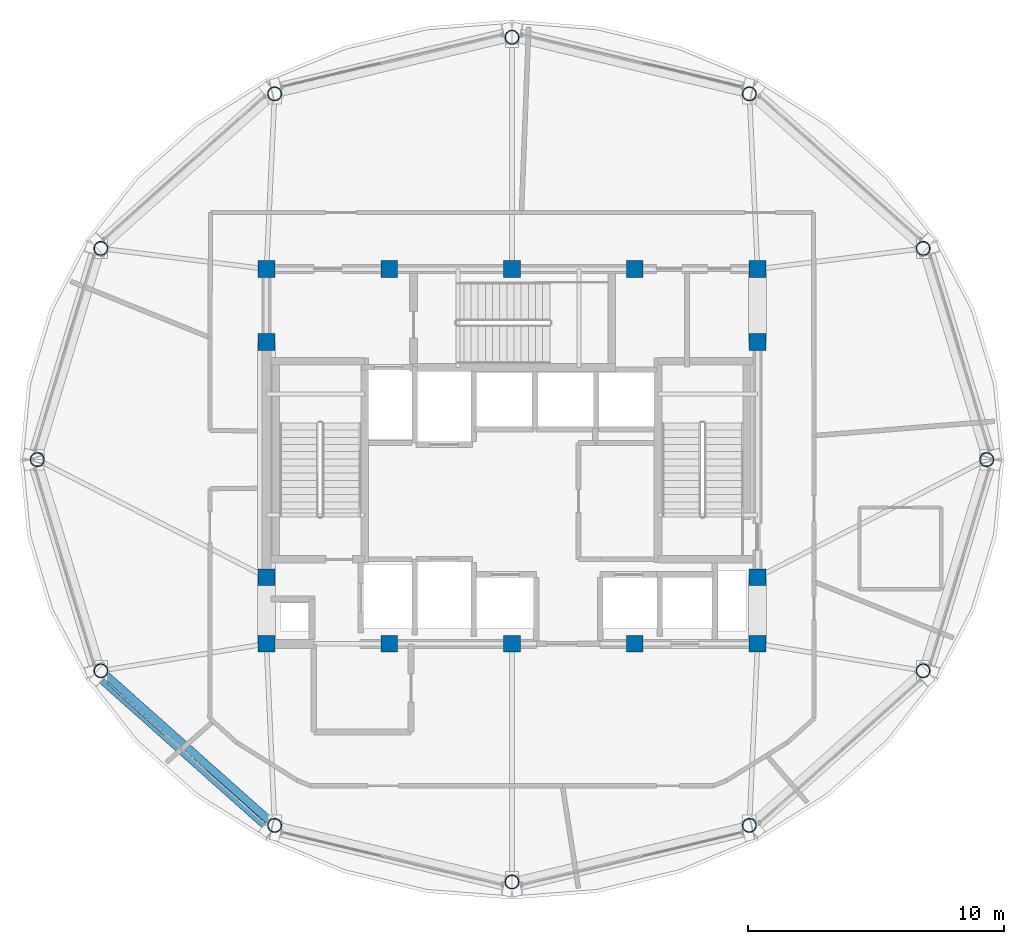
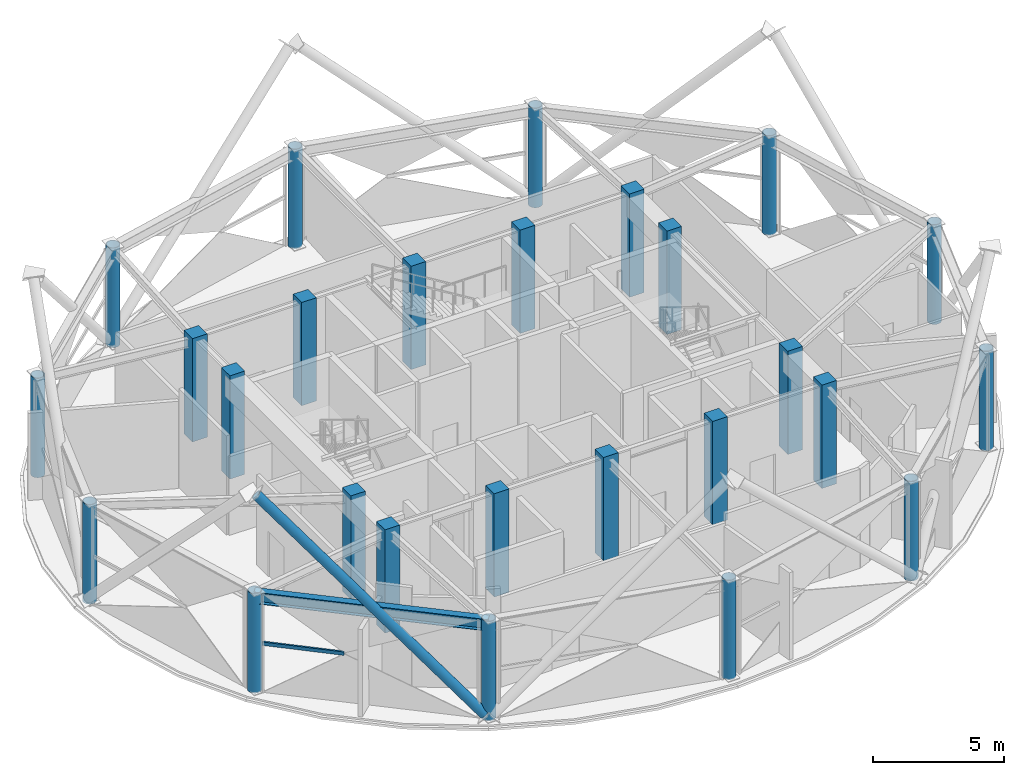
# One storey, part 1 of 27: 26 columns, 2 members, 1 beam, 1 element without a shape of its own.
"""IFC4 building model written with IfcOpenShell, lengths in metres."""

from ifc_helpers import new_model, si_unit, direction, frame, origin, origin_2d, place, context, subcontext, project, spatial, rectangle, hollow_rectangle, hollow_circle, i_section, extrude, material, layer, layer_set, material_profile, profile_set, type_object, element, aggregate, save


model = new_model("IFC4")

# Units and contexts
model_context = context("Model", 3, precision=1e-05, world=origin(), true_north=direction((0.0, 1.0)))
body_context = subcontext(model_context, "Body", "Model", "MODEL_VIEW")
ifc_project = project(units=[si_unit("LENGTHUNIT", "METRE"), si_unit("AREAUNIT", "SQUARE_METRE"), si_unit("VOLUMEUNIT", "CUBIC_METRE"), si_unit("PLANEANGLEUNIT", "RADIAN"), si_unit("MASSUNIT", "GRAM", prefix="KILO")], contexts=[model_context])

# Site, building, storey
site_placement = place(None, origin())
site = spatial("IfcSite", under=ifc_project, at=site_placement, CompositionType="ELEMENT")
building_placement = place(site_placement, origin())
building = spatial("IfcBuilding", under=site, at=building_placement, Name="Vantalir Tower", CompositionType="ELEMENT")
storey_placement = place(building_placement, frame((0.0, 0.0, 290.10009765625)))
storey = spatial("IfcBuildingStorey", under=building, at=storey_placement, Name="L73", CompositionType="ELEMENT", Elevation=290.10009765625)

# Columns
ifc_material_1 = material(Name="Concrete C50/60", Category="concrete")
ifc_material_profile_1 = material_profile(ifc_material_1, rectangle(XDim=0.64990234375, YDim=0.64990234375, at=origin_2d()), Name="Concrete C50/60")
ifc_profile_set_1 = profile_set([ifc_material_profile_1], Name="Concrete C50/60")
column_type_1 = type_object("IfcColumnType", Name="COL-CC-650", PredefinedType="COLUMN", material=ifc_profile_set_1)
for number, where, z_axis, x_axis, name in (
    (1, (21.89990234375, 17.800048828125, 0.0), (0.0, 0.0, 1.0), (1.0, 0.0, 0.0), "L73 Core Column CC01"),
    (2, (26.699951171875, 17.800048828125, 0.0), (0.0, 0.0, 1.0), (1.0, 0.0, 0.0), "L73 Core Column CC02"),
    (3, (31.5, 17.800048828125, 0.0), (0.0, 0.0, 1.0), (1.0, 0.0, 0.0), "L73 Core Column CC03"),
    (4, (36.300048828125, 17.800048828125, 0.0), (0.0, 0.0, 1.0), (1.0, 0.0, 0.0), "L73 Core Column CC04"),
    (5, (41.10009765625, 17.800048828125, 0.0), (0.0, 0.0, 1.0), (1.0, 0.0, 0.0), "L73 Core Column CC05"),
    (6, (21.89990234375, 20.39990234375, 0.0), (0.0, 0.0, 1.0), (1.0, 0.0, 0.0), "L73 Core Column CC06"),
    (7, (21.89990234375, 29.60009765625, 0.0), (0.0, 0.0, 1.0), (1.0, 0.0, 0.0), "L73 Core Column CC07"),
    (8, (41.10009765625, 20.39990234375, 0.0), (0.0, 0.0, 1.0), (1.0, 0.0, 0.0), "L73 Core Column CC08"),
    (9, (41.10009765625, 29.60009765625, 0.0), (0.0, 0.0, 1.0), (1.0, 0.0, 0.0), "L73 Core Column CC09"),
    (10, (21.89990234375, 32.449951171875, 0.0), (0.0, 0.0, 1.0), (1.0, 0.0, 0.0), "L73 Core Column CC10"),
    (11, (26.699951171875, 32.449951171875, 0.0), (0.0, 0.0, 1.0), (1.0, 0.0, 0.0), "L73 Core Column CC11"),
    (12, (31.5, 32.449951171875, 0.0), (0.0, 0.0, 1.0), (1.0, 0.0, 0.0), "L73 Core Column CC12"),
    (13, (36.300048828125, 32.449951171875, 0.0), (0.0, 0.0, 1.0), (1.0, 0.0, 0.0), "L73 Core Column CC13"),
    (14, (41.10009765625, 32.449951171875, 0.0), (0.0, 0.0, 1.0), (1.0, 0.0, 0.0), "L73 Core Column CC14"),
):
    element("IfcColumn", number, at=place(storey_placement, frame(where, z_axis=z_axis, x_axis=x_axis)), inside=storey, type_object=column_type_1, Name=name, PredefinedType="COLUMN", context=body_context, shape_type="SweptSolid", body=[
        extrude(rectangle(XDim=0.64990234375, YDim=0.64990234375, at=origin_2d()), origin(), (0.0, 0.0, 1.0), 4.7998046875),
    ])
ifc_material_2 = material(Name="Steel S460", Category="steel")
ifc_material_profile_2 = material_profile(ifc_material_2, hollow_circle(Radius=0.27490234375, WallThickness=0.02490234375, at=origin_2d()), Name="Steel S460")
ifc_profile_set_2 = profile_set([ifc_material_profile_2], Name="Steel S460")
column_type_2 = type_object("IfcColumnType", Name="COL-RC-550", PredefinedType="COLUMN", material=ifc_profile_set_2)
for number, where, z_axis, x_axis, name in (
    (15, (50.06005859375, 25.0, 0.0), (0.0, 0.0, 1.0), (1.0, 0.0, 0.0), "L73 Perimeter Ring Column RC01"),
    (16, (47.572998046875, 33.256103515625, 0.0), (0.0, 0.0, 1.0), (1.0, 0.0, 0.0), "L73 Perimeter Ring Column RC02"),
    (17, (40.780029296875, 39.300048828125, 0.0), (0.0, 0.0, 1.0), (1.0, 0.0, 0.0), "L73 Perimeter Ring Column RC03"),
    (18, (31.5, 41.511962890625, 0.0), (0.0, 0.0, 1.0), (1.0, 0.0, 0.0), "L73 Perimeter Ring Column RC04"),
    (19, (22.219970703125, 39.300048828125, 0.0), (0.0, 0.0, 1.0), (1.0, 0.0, 0.0), "L73 Perimeter Ring Column RC05"),
    (20, (15.427001953125, 33.256103515625, 0.0), (0.0, 0.0, 1.0), (1.0, 0.0, 0.0), "L73 Perimeter Ring Column RC06"),
    (21, (12.93994140625, 25.0, 0.0), (0.0, 0.0, 1.0), (1.0, 0.0, 0.0), "L73 Perimeter Ring Column RC07"),
    (22, (15.427001953125, 16.743896484375, 0.0), (0.0, 0.0, 1.0), (1.0, 0.0, 0.0), "L73 Perimeter Ring Column RC08"),
    (23, (22.219970703125, 10.699951171875, 0.0), (0.0, 0.0, 1.0), (1.0, 0.0, 0.0), "L73 Perimeter Ring Column RC09"),
    (24, (31.5, 8.488037109375, 0.0), (0.0, 0.0, 1.0), (1.0, 0.0, 0.0), "L73 Perimeter Ring Column RC10"),
    (25, (40.780029296875, 10.699951171875, 0.0), (0.0, 0.0, 1.0), (1.0, 0.0, 0.0), "L73 Perimeter Ring Column RC11"),
    (26, (47.572998046875, 16.743896484375, 0.0), (0.0, 0.0, 1.0), (1.0, 0.0, 0.0), "L73 Perimeter Ring Column RC12"),
):
    element("IfcColumn", number, at=place(storey_placement, frame(where, z_axis=z_axis, x_axis=x_axis)), inside=storey, type_object=column_type_2, Name=name, PredefinedType="COLUMN", context=body_context, shape_type="SweptSolid", body=[
        extrude(hollow_circle(Radius=0.27490234375, WallThickness=0.02490234375, at=origin_2d()), origin(), (0.0, 0.0, 1.0), 4.619873046875),
    ])

# Beam
ifc_material_profile_3 = material_profile(ifc_material_2, i_section(OverallWidth=0.31201171875, OverallDepth=0.5419921875, WebThickness=0.0126953125, FlangeThickness=0.020263671875, at=origin_2d()), Name="Steel S460")
ifc_profile_set_3 = profile_set([ifc_material_profile_3], Name="Steel S460")
beam_type = type_object("IfcBeamType", Name="BM-RG-533x312", PredefinedType="USERDEFINED", material=ifc_profile_set_3)
beam_placement = place(storey_placement, frame((15.427001953125, 16.743896484375, 4.348876953125), z_axis=(0.747095174026, -0.664717083388, 0.0), x_axis=(0.664717083388, 0.747095174026, 0.0)))
element("IfcBeam", 27, at=beam_placement, inside=storey, type_object=beam_type, Name="L73 Circumferential Ring Girder 08", ObjectType="GIRDER", PredefinedType="USERDEFINED", context=body_context, shape_type="SweptSolid", body=[
    extrude(i_section(OverallWidth=0.31201171875, OverallDepth=0.5419921875, WebThickness=0.0126953125, FlangeThickness=0.020263671875, at=origin_2d()), origin(), (0.0, 0.0, 1.0), 9.092529296875),
])

# Curtain wall, member
ifc_material_3 = material(Name="Champagne-silver PVDF aluminium and double-silver Low-E glass", Category="aluminium")
ifc_layer = layer(ifc_material_3, 0.219970703125)
ifc_layer_set = layer_set([ifc_layer], Name="Champagne-silver PVDF aluminium and double-silver Low-E glass")
curtain_wall_type = type_object("IfcCurtainWallType", Name="CW-DIAMOND-Z4", PredefinedType="USERDEFINED", material=ifc_layer_set)
curtain_wall_placement = place(storey_placement, origin())
curtain_wall = element("IfcCurtainWall", 28, at=curtain_wall_placement, inside=storey, type_object=curtain_wall_type, Name="L73 Quilted Pyramid-Diamond Curtain Wall S08", ObjectType="UNITISED CURTAIN WALL", PredefinedType="USERDEFINED")
ifc_material_4 = material(Name="Champagne-silver PVDF aluminium 6063-T6", Category="aluminium")
ifc_material_profile_4 = material_profile(ifc_material_4, hollow_rectangle(XDim=0.074951171875, YDim=0.159912109375, WallThickness=0.00390625, at=origin_2d()), Name="Champagne-silver PVDF aluminium 6063-T6")
ifc_profile_set_4 = profile_set([ifc_material_profile_4], Name="Champagne-silver PVDF aluminium 6063-T6")
member_type_1 = type_object("IfcMemberType", Name="CWT-160x75", PredefinedType="USERDEFINED", material=ifc_profile_set_4)
member_1_placement = place(storey_placement, frame((15.552978515625, 16.389892578125, 2.309814453125), z_axis=(0.7417748974, -0.670648940644, 0.0), x_axis=(0.670648940644, 0.7417748974, 0.0)))
member_1 = element("IfcMember", 29, at=member_1_placement, type_object=member_type_1, Name="CW-L73-S08 Pyramid Fold Ridge Transom", ObjectType="TRANSOM", PredefinedType="USERDEFINED", context=body_context, shape_type="SweptSolid", body=[
    extrude(hollow_rectangle(XDim=0.074951171875, YDim=0.159912109375, WallThickness=0.00390625, at=origin_2d()), origin(), (0.0, 0.0, 1.0), 3.192138671875),
])
aggregate(curtain_wall, [member_1])

# Member
ifc_material_profile_5 = material_profile(ifc_material_2, hollow_circle(Radius=0.2099609375, WallThickness=0.02490234375, at=origin_2d()), Name="Steel S460")
ifc_profile_set_5 = profile_set([ifc_material_profile_5], Name="Steel S460")
member_type_2 = type_object("IfcMemberType", Name="MEM-DB-420x25", PredefinedType="BRACE", material=ifc_profile_set_5)
member_2_placement = place(storey_placement, frame((22.009033203125, 10.638916015625, 0.23583984375), z_axis=(-0.525995447909, 0.46855638092, 0.709777223273), x_axis=(-0.665160339717, -0.746700557431, 0.0)))
element("IfcMember", 30, at=member_2_placement, inside=storey, type_object=member_type_2, Name="L73 Perimeter S460 Diagrid Brace R25R", PredefinedType="BRACE", context=body_context, shape_type="SweptSolid", body=[
    extrude(hollow_circle(Radius=0.2099609375, WallThickness=0.02490234375, at=origin_2d()), origin(), (0.0, 0.0, 1.0), 12.606689453125),
])

save(model, "model.ifc")
